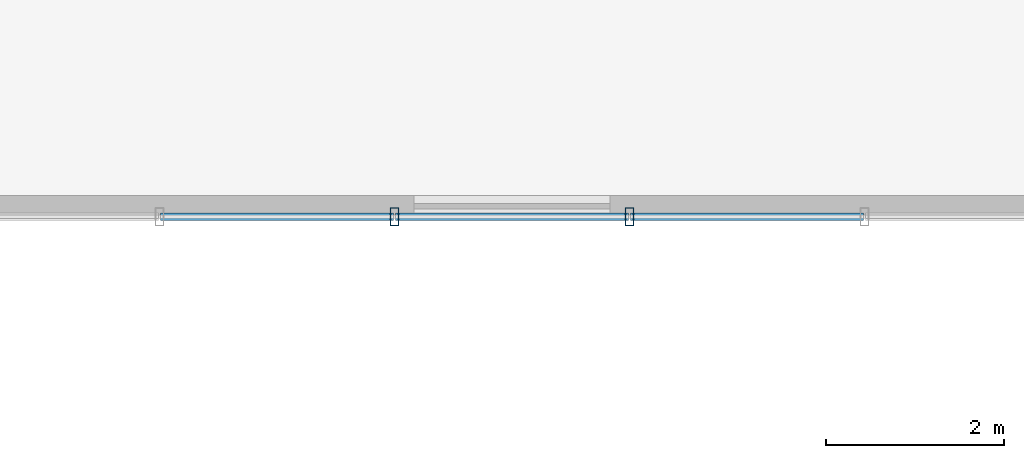
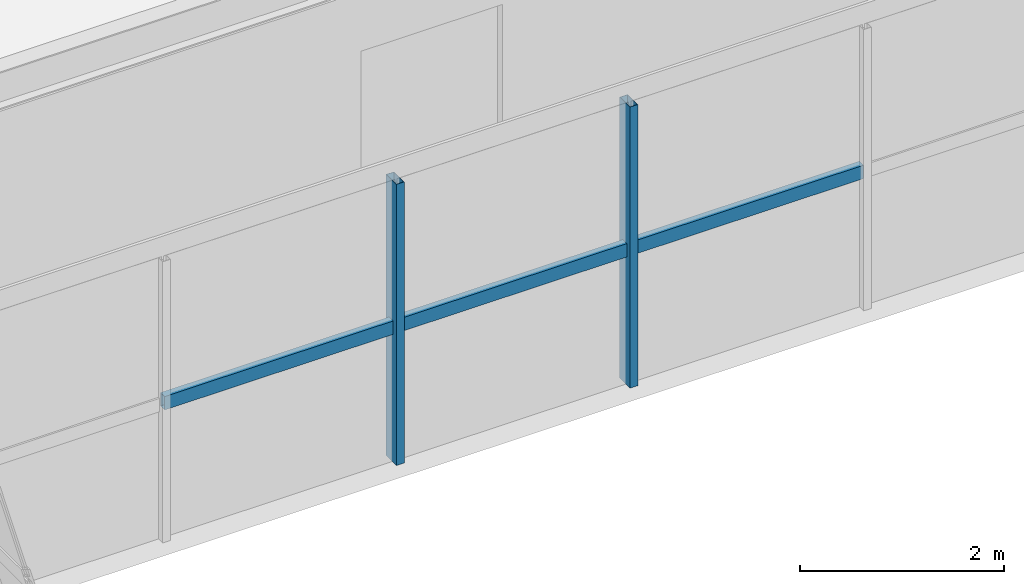
# One storey, part 9 of 34: 5 members, 1 element without a shape of its own.
"""IFC4 building model written with IfcOpenShell, lengths in metres."""

import ifcopenshell
import ifcopenshell.guid

model = None  # the IFC model being written
_history = None  # IfcOwnerHistory: only IFC2X3 demands one
_inside = {}  # id of a spatial element -> (the spatial element, [elements in it])
_under = {}  # id of a project, library or spatial element -> (it, [spatial elements below it])
_declared = {}  # id of a project -> (the project, [libraries it declares])
_typed = {}  # id of a type object -> (the type object, [elements of that type])
_made_of = {}  # id of a material, layer set ... -> (it, [elements and type objects made of it])


def new_model(schema):
    """Start an empty IFC model of exactly this schema.

    Asked for "IFC4X3", IfcOpenShell would pick the latest addendum, in which some entities
    have other attributes; the version numbers below select the first issue.
    IFC2X3 requires an IfcOwnerHistory on every rooted entity: one is made here for all.
    """
    global model, _history
    if schema == "IFC4X3":
        model = ifcopenshell.file(schema_version=(4, 3, 0, 0))
    else:
        model = ifcopenshell.file(schema=schema)
    _inside.clear()
    _under.clear()
    _declared.clear()
    _typed.clear()
    _made_of.clear()
    _history = None
    if model.schema == "IFC2X3":
        org = make("IfcOrganization", Name="unknown")
        user = make(
            "IfcPersonAndOrganization",
            ThePerson=make("IfcPerson", FamilyName="unknown"),
            TheOrganization=org,
        )
        app = make(
            "IfcApplication",
            ApplicationDeveloper=org,
            Version="unknown",
            ApplicationFullName="unknown",
            ApplicationIdentifier="unknown",
        )
        _history = make(
            "IfcOwnerHistory",
            OwningUser=user,
            OwningApplication=app,
            ChangeAction="ADDED",
            CreationDate=0,
        )
    return model


def make(cls, **values):
    """One entity of the class cls with the attributes given. An attribute that is None is left unset."""
    return model.create_entity(
        cls, **{name: value for name, value in values.items() if value is not None}
    )


def rooted(cls, **values):
    """An entity with a GlobalId (a new one), such as an element, a storey or a relation."""
    return make(cls, GlobalId=ifcopenshell.guid.new(), OwnerHistory=_history, **values)


def si_unit(unit_type, name, prefix=None):
    """IfcSIUnit, for example si_unit("LENGTHUNIT", "METRE", prefix="MILLI")."""
    return make("IfcSIUnit", UnitType=unit_type, Prefix=prefix, Name=name)


def assignment(units):
    """IfcUnitAssignment: the units of a project."""
    return None if units is None else make("IfcUnitAssignment", Units=units)


def point(xyz):
    """IfcCartesianPoint."""
    return None if xyz is None else make("IfcCartesianPoint", Coordinates=xyz)


def direction(xyz):
    """IfcDirection."""
    return None if xyz is None else make("IfcDirection", DirectionRatios=xyz)


def frame(location, z_axis=None, x_axis=None):
    """IfcAxis2Placement3D, a coordinate frame: its origin and axes. An axis left out is left unset."""
    return make(
        "IfcAxis2Placement3D",
        Location=point(location),
        Axis=direction(z_axis),
        RefDirection=direction(x_axis),
    )


def frame_2d(location, x_axis=None):
    """IfcAxis2Placement2D, a coordinate frame in the plane: its origin and x axis."""
    return make(
        "IfcAxis2Placement2D", Location=point(location), RefDirection=direction(x_axis)
    )


def origin():
    """The frame at (0, 0, 0) with its axes left unset."""
    return frame((0.0, 0.0, 0.0))


def origin_2d():
    """The frame at (0, 0) in the plane with its x axis left unset."""
    return frame_2d((0.0, 0.0))


def place(relative_to, where):
    """IfcLocalPlacement: puts the frame where relative to a parent placement (None: the world)."""
    return make(
        "IfcLocalPlacement", PlacementRelTo=relative_to, RelativePlacement=where
    )


def context(
    kind, dimensions, precision=None, world=None, true_north=None, identifier=None
):
    """IfcGeometricRepresentationContext, for example the 3D "Model" context."""
    return make(
        "IfcGeometricRepresentationContext",
        ContextIdentifier=identifier,
        ContextType=kind,
        CoordinateSpaceDimension=dimensions,
        Precision=precision,
        WorldCoordinateSystem=world,
        TrueNorth=true_north,
    )


def subcontext(parent, identifier, kind, view, scale=None):
    """IfcGeometricRepresentationSubContext, for example "Body" below "Model"."""
    return make(
        "IfcGeometricRepresentationSubContext",
        ContextIdentifier=identifier,
        ContextType=kind,
        ParentContext=parent,
        TargetScale=scale,
        TargetView=view,
    )


def project(units=None, contexts=None):
    """IfcProject with its units and contexts."""
    return rooted(
        "IfcProject",
        Name="project",
        RepresentationContexts=contexts,
        UnitsInContext=assignment(units),
    )


def spatial(cls, under=None, at=None, **own):
    """A site, building, storey or space (cls), placed at a placement, below another one or the project."""
    s = rooted(cls, ObjectPlacement=at, **own)
    if under is not None:
        _under.setdefault(under.id(), (under, []))[1].append(s)
    return s


def profile(cls, at=None, kind="AREA", **sizes):
    """A parametric profile (cls). Its sizes go by their IFC names, for example OverallWidth=200.0."""
    return make(cls, ProfileType=kind, Position=at, **sizes)


def hollow_rectangle(**sizes):
    """IfcRectangleHollowProfileDef."""
    return profile("IfcRectangleHollowProfileDef", **sizes)


def extrude(swept, where, along, depth):
    """IfcExtrudedAreaSolid: the profile swept, set in the frame where, extruded along a direction by depth."""
    return make(
        "IfcExtrudedAreaSolid",
        SweptArea=swept,
        Position=where,
        ExtrudedDirection=direction(along),
        Depth=depth,
    )


def shape(context_of_items, identifier, shape_type, items):
    """IfcShapeRepresentation: the items that make up one representation, for example the "Body"."""
    return make(
        "IfcShapeRepresentation",
        ContextOfItems=context_of_items,
        RepresentationIdentifier=identifier,
        RepresentationType=shape_type,
        Items=items,
    )


def source(mapping_origin, context_of_items, identifier, shape_type, items):
    """IfcRepresentationMap: a shape defined once, which mapped items show again and again."""
    return make(
        "IfcRepresentationMap",
        MappingOrigin=mapping_origin,
        MappedRepresentation=shape(context_of_items, identifier, shape_type, items),
    )


def transform(
    local_origin,
    x_axis=None,
    y_axis=None,
    z_axis=None,
    scale=None,
    scale2=None,
    scale3=None,
    uniform=True,
):
    """IfcCartesianTransformationOperator3D, or its non-uniform kind. x_axis, y_axis, z_axis: its Axis1, 2, 3."""
    if uniform:
        return make(
            "IfcCartesianTransformationOperator3D",
            Axis1=direction(x_axis),
            Axis2=direction(y_axis),
            LocalOrigin=point(local_origin),
            Scale=scale,
            Axis3=direction(z_axis),
        )
    return make(
        "IfcCartesianTransformationOperator3DnonUniform",
        Axis1=direction(x_axis),
        Axis2=direction(y_axis),
        LocalOrigin=point(local_origin),
        Scale=scale,
        Axis3=direction(z_axis),
        Scale2=scale2,
        Scale3=scale3,
    )


def mapped(mapping_source, mapping_target):
    """IfcMappedItem: shows the shape of a source again, moved by a transform."""
    return make(
        "IfcMappedItem", MappingSource=mapping_source, MappingTarget=mapping_target
    )


def material(Name=None, Category=None):
    """IfcMaterial."""
    return make("IfcMaterial", Name=Name, Category=Category)


def material_profile(
    of_material, cross_section, Name=None, Category=None, Priority=None
):
    """IfcMaterialProfile: a cross section and its material."""
    return make(
        "IfcMaterialProfile",
        Name=Name,
        Material=of_material,
        Profile=cross_section,
        Priority=Priority,
        Category=Category,
    )


def profile_set(profiles, Name=None, composite=None):
    """IfcMaterialProfileSet."""
    return make(
        "IfcMaterialProfileSet",
        Name=Name,
        MaterialProfiles=profiles,
        CompositeProfile=composite,
    )


def made_of(thing, what):
    """Note that an element or type object is made of a material, layer set ...; save() writes the relation."""
    if what is not None:
        _made_of.setdefault(what.id(), (what, []))[1].append(thing)
    return thing


def type_object(cls, material=None, **own):
    """A type object (cls), such as IfcWallType, which elements share."""
    return made_of(rooted(cls, **own), material)


def element(
    cls,
    number,
    at=None,
    inside=None,
    cuts=None,
    type_object=None,
    material=None,
    context=None,
    identifier="Body",
    shape_type=None,
    held_by="IfcProductDefinitionShape",
    body=None,
    shapes=None,
    **own,
):
    """One element of the class cls, such as IfcWall. Its Tag is "e" and its number.

    at: its placement. inside: the storey or other place that contains it. cuts: it is an
    opening in that element (IfcRelVoidsElement). A single representation is given by context,
    identifier, shape_type and body (its items); several are given by shapes. held_by: the class
    of the entity that holds the representations. save() writes the other relations.
    """
    e = rooted(cls, Tag="e%d" % number, ObjectPlacement=at, **own)
    if body is not None:
        shapes = [shape(context, identifier, shape_type, body)]
    if shapes is not None:
        e.Representation = make(held_by, Representations=shapes)
    if inside is not None:
        _inside.setdefault(inside.id(), (inside, []))[1].append(e)
    if cuts is not None:
        rooted(
            "IfcRelVoidsElement", RelatingBuildingElement=cuts, RelatedOpeningElement=e
        )
    if type_object is not None:
        _typed.setdefault(type_object.id(), (type_object, []))[1].append(e)
    return made_of(e, material)


def aggregate(whole, parts):
    """IfcRelAggregates: a whole, such as a stair, and the parts it consists of."""
    return rooted("IfcRelAggregates", RelatingObject=whole, RelatedObjects=parts)


def save(model, path):
    """Write the relations noted so far, then the file.

    IfcRelAggregates (storeys below a building ...), IfcRelContainedInSpatialStructure (elements
    in a storey), IfcRelDefinesByType, IfcRelAssociatesMaterial and IfcRelDeclares: one each for
    every whole, place, type object, material and project.
    """
    for whole, parts in _under.values():
        aggregate(whole, parts)
    for where, things in _inside.values():
        rooted(
            "IfcRelContainedInSpatialStructure",
            RelatedElements=things,
            RelatingStructure=where,
        )
    for kind, things in _typed.values():
        rooted("IfcRelDefinesByType", RelatedObjects=things, RelatingType=kind)
    for what, things in _made_of.values():
        rooted("IfcRelAssociatesMaterial", RelatedObjects=things, RelatingMaterial=what)
    for by, libraries in _declared.values():
        rooted("IfcRelDeclares", RelatingContext=by, RelatedDefinitions=libraries)
    model.write(path)


model = new_model("IFC4")

# Units and contexts
model_context = context("Model", 3, precision=1e-05, world=origin(), true_north=direction((0.0, 1.0)))
body_context = subcontext(model_context, "Body", "Model", "MODEL_VIEW")
ifc_project = project(units=[si_unit("LENGTHUNIT", "METRE"), si_unit("AREAUNIT", "SQUARE_METRE"), si_unit("VOLUMEUNIT", "CUBIC_METRE"), si_unit("PLANEANGLEUNIT", "RADIAN"), si_unit("MASSUNIT", "GRAM", prefix="KILO")], contexts=[model_context])

# Site, building, storey
site_placement = place(None, origin())
site = spatial("IfcSite", under=ifc_project, at=site_placement, CompositionType="ELEMENT")
building_placement = place(site_placement, origin())
building = spatial("IfcBuilding", under=site, at=building_placement, Name="Trelvane Seafront Commons", CompositionType="ELEMENT")
storey_placement = place(building_placement, frame((0.0, 0.0, 197.699951171875)))
storey = spatial("IfcBuildingStorey", under=building, at=storey_placement, Name="L51", CompositionType="ELEMENT", Elevation=197.699951171875)

# Curtain wall, members
ifc_material = material(Name="Anodised pale-silver aluminium", Category="aluminium")
curtain_wall_type = type_object("IfcCurtainWallType", Name="ARCH-CW3-PORTAL", PredefinedType="NOTDEFINED", material=ifc_material)
curtain_wall_placement = place(storey_placement, origin())
curtain_wall = element("IfcCurtainWall", 1, at=curtain_wall_placement, inside=storey, type_object=curtain_wall_type, Name="CW-L51-VP-0087", PredefinedType="NOTDEFINED")
ifc_material_profile_1 = material_profile(ifc_material, hollow_rectangle(XDim=0.080078125, YDim=0.159912109375, WallThickness=0.00439453125, at=origin_2d()), Name="TRAN-80x160x4.5")
ifc_profile_set_1 = profile_set([ifc_material_profile_1], Name="Anodised pale-silver aluminium")
member_type_1 = type_object("IfcMemberType", Name="ARCH-CW-TRAN-160", PredefinedType="USERDEFINED", material=ifc_profile_set_1)
shared_shape_1 = source(origin(), body_context, "Body", "SweptSolid", [
    extrude(hollow_rectangle(XDim=0.080078125, YDim=0.159912109375, WallThickness=0.00439453125, at=origin_2d()), origin(), (0.0, 0.0, 1.0), 2.615966796875),
])
member_1_placement = place(storey_placement, frame((33.251953125, 29.800048828125, 1.613037109375), z_axis=(1.0, 0.0, 0.0), x_axis=(0.0, 1.0, 0.0)))
member_1 = element("IfcMember", 2, at=member_1_placement, type_object=member_type_1, Name="CW-L51-VP-0087-T01", ObjectType="TRANSOM", PredefinedType="USERDEFINED", context=body_context, shape_type="MappedRepresentation", body=[
    mapped(shared_shape_1, transform((0.0, 0.0, 0.0), x_axis=(1.0, 0.0, 0.0), y_axis=(0.0, 1.0, 0.0), z_axis=(0.0, 0.0, 1.0), scale=1.0)),
])
member_2_placement = place(storey_placement, frame((35.89208984375, 29.800048828125, 1.613037109375), z_axis=(1.0, 0.0, 0.0), x_axis=(0.0, 1.0, 0.0)))
member_2 = element("IfcMember", 3, at=member_2_placement, type_object=member_type_1, Name="CW-L51-VP-0087-T02", ObjectType="TRANSOM", PredefinedType="USERDEFINED", context=body_context, shape_type="MappedRepresentation", body=[
    mapped(shared_shape_1, transform((0.0, 0.0, 0.0), x_axis=(1.0, 0.0, 0.0), y_axis=(0.0, 1.0, 0.0), z_axis=(0.0, 0.0, 1.0), scale=1.0)),
])
member_3_placement = place(storey_placement, frame((38.531982421875, 29.800048828125, 1.613037109375), z_axis=(1.0, 0.0, 0.0), x_axis=(0.0, 1.0, 0.0)))
member_3 = element("IfcMember", 4, at=member_3_placement, type_object=member_type_1, Name="CW-L51-VP-0087-T03", ObjectType="TRANSOM", PredefinedType="USERDEFINED", context=body_context, shape_type="MappedRepresentation", body=[
    mapped(shared_shape_1, transform((0.0, 0.0, 0.0), x_axis=(1.0, 0.0, 0.0), y_axis=(0.0, 1.0, 0.0), z_axis=(0.0, 0.0, 1.0), scale=1.0)),
])
ifc_material_profile_2 = material_profile(ifc_material, hollow_rectangle(XDim=0.090087890625, YDim=0.199951171875, WallThickness=0.0048828125, at=origin_2d()), Name="MULL-90x200x5")
ifc_profile_set_2 = profile_set([ifc_material_profile_2], Name="Anodised pale-silver aluminium")
member_type_2 = type_object("IfcMemberType", Name="ARCH-CW-MULL-200", PredefinedType="MULLION", material=ifc_profile_set_2)
shared_shape_2 = source(origin(), body_context, "Body", "SweptSolid", [
    extrude(hollow_rectangle(XDim=0.090087890625, YDim=0.199951171875, WallThickness=0.0048828125, at=origin_2d()), origin(), (0.0, 0.0, 1.0), 3.360107421875),
])
member_4_placement = place(storey_placement, frame((35.8798828125, 29.800048828125, 0.0), z_axis=(0.0, 0.0, 1.0), x_axis=(1.0, 0.0, 0.0)))
member_4 = element("IfcMember", 5, at=member_4_placement, type_object=member_type_2, Name="CW-L51-VP-0087-M02", PredefinedType="MULLION", context=body_context, shape_type="MappedRepresentation", body=[
    mapped(shared_shape_2, transform((0.0, 0.0, 0.0), x_axis=(1.0, 0.0, 0.0), y_axis=(0.0, 1.0, 0.0), z_axis=(0.0, 0.0, 1.0), scale=1.0)),
])
member_5_placement = place(storey_placement, frame((38.52001953125, 29.800048828125, 0.0), z_axis=(0.0, 0.0, 1.0), x_axis=(1.0, 0.0, 0.0)))
member_5 = element("IfcMember", 6, at=member_5_placement, type_object=member_type_2, Name="CW-L51-VP-0087-M03", PredefinedType="MULLION", context=body_context, shape_type="MappedRepresentation", body=[
    mapped(shared_shape_2, transform((0.0, 0.0, 0.0), x_axis=(1.0, 0.0, 0.0), y_axis=(0.0, 1.0, 0.0), z_axis=(0.0, 0.0, 1.0), scale=1.0)),
])
aggregate(curtain_wall, [member_4, member_5, member_1, member_2, member_3])

save(model, "model.ifc")
